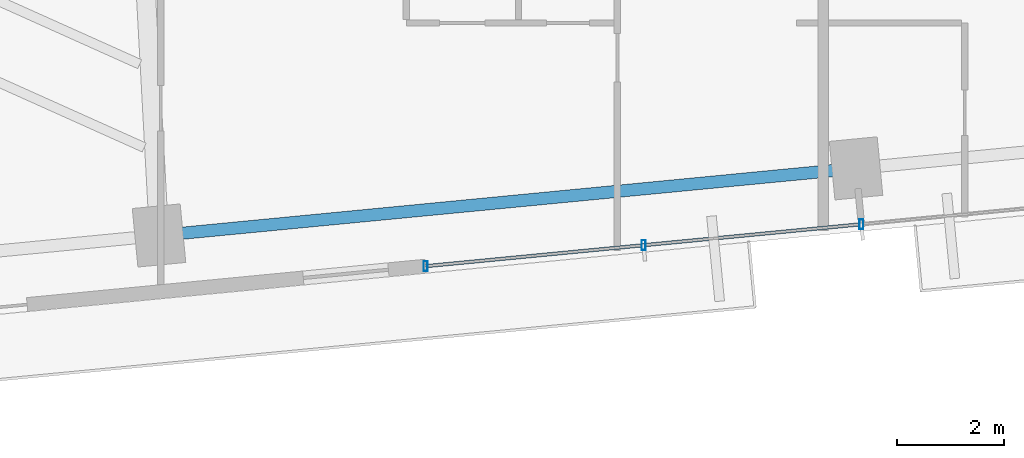
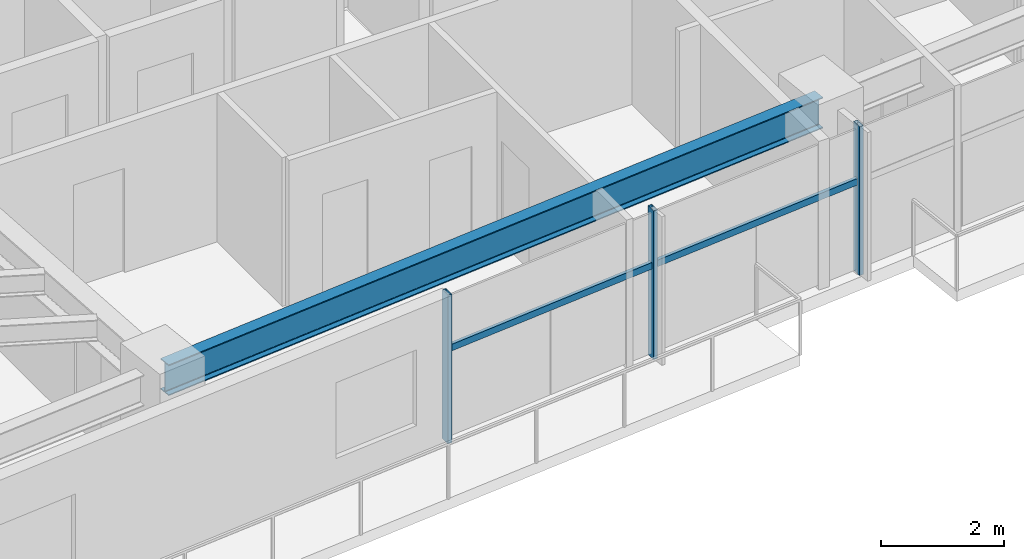
# One storey, part 6 of 27: 5 members, 1 beam, 1 element without a shape of its own.
"""IFC4 building model written with IfcOpenShell, lengths in metres."""

from ifc_helpers import new_model, si_unit, direction, frame, origin, origin_2d, place, context, subcontext, project, spatial, hollow_rectangle, i_section, extrude, source, transform, mapped, material, material_profile, profile_set, type_object, type_shapes, element, aggregate, save


model = new_model("IFC4")

# Units and contexts
model_context = context("Model", 3, precision=1e-05, world=origin(), true_north=direction((0.0, 1.0)))
body_context = subcontext(model_context, "Body", "Model", "MODEL_VIEW")
ifc_project = project(units=[si_unit("LENGTHUNIT", "METRE"), si_unit("AREAUNIT", "SQUARE_METRE"), si_unit("VOLUMEUNIT", "CUBIC_METRE"), si_unit("PLANEANGLEUNIT", "RADIAN"), si_unit("MASSUNIT", "GRAM", prefix="KILO")], contexts=[model_context])

# Site, building, storey
site_placement = place(None, origin())
site = spatial("IfcSite", under=ifc_project, at=site_placement, CompositionType="ELEMENT")
building_placement = place(site_placement, origin())
building = spatial("IfcBuilding", under=site, at=building_placement, Name="Astriad Promenade Condominiums", CompositionType="ELEMENT")
storey_placement = place(building_placement, frame((0.0, 0.0, 90.60009765625)))
storey = spatial("IfcBuildingStorey", under=building, at=storey_placement, Name="L25", CompositionType="ELEMENT", Elevation=90.60009765625)

# Beam
ifc_material_1 = material(Name="Steel ASTM A992 Grade 50", Category="steel")
ifc_material_profile_1 = material_profile(ifc_material_1, i_section(OverallWidth=0.22900390625, OverallDepth=0.612060546875, WebThickness=0.011962890625, FlangeThickness=0.01953125, FilletRadius=0.017822265625, at=origin_2d()), Name="W24X84")
ifc_profile_set_1 = profile_set([ifc_material_profile_1], Name="Steel ASTM A992 Grade 50")
beam_type = type_object("IfcBeamType", Name="STEEL SPANDREL BEAM W24X84", PredefinedType="SPANDREL", material=ifc_profile_set_1)
shared_shape_1 = source(origin(), body_context, "Body", "SweptSolid", [
    extrude(i_section(OverallWidth=0.22900390625, OverallDepth=0.612060546875, WebThickness=0.011962890625, FlangeThickness=0.01953125, FilletRadius=0.017822265625, at=origin_2d()), origin(), (0.0, 0.0, 1.0), 13.020263671875),
])
type_shapes(beam_type, [shared_shape_1])
beam_placement = place(storey_placement, frame((27.04541015625, 6.268798828125, 2.6337890625), z_axis=(0.995395311238, 0.095854965264, 0.0), x_axis=(-0.095854965264, 0.995395311238, 0.0)))
element("IfcBeam", 1, at=beam_placement, inside=storey, type_object=beam_type, Name="Perimeter Spandrel Beam SP-S2-L25", PredefinedType="SPANDREL", context=body_context, shape_type="MappedRepresentation", body=[
    mapped(shared_shape_1, transform((0.0, 0.0, 0.0), scale=1.0)),
])

# Curtain wall, members
ifc_material_2 = material(Name="Anodised aluminium Black Dark Glass Unitised", Category="aluminium")
curtain_wall_type = type_object("IfcCurtainWallType", Name="CW-B2-DARK", PredefinedType="USERDEFINED", material=ifc_material_2)
curtain_wall_placement = place(storey_placement, origin())
curtain_wall = element("IfcCurtainWall", 2, at=curtain_wall_placement, inside=storey, type_object=curtain_wall_type, Name="CW-L25-S", ObjectType="UNITISED_CURTAIN_WALL", PredefinedType="USERDEFINED")
ifc_material_3 = material(Name="Anodised aluminium 6063-T6 Black", Category="aluminium")
ifc_material_profile_2 = material_profile(ifc_material_3, hollow_rectangle(XDim=0.074951171875, YDim=0.18505859375, WallThickness=0.00439453125, at=origin_2d()), Name="ALU-MUL-75X185")
ifc_profile_set_2 = profile_set([ifc_material_profile_2], Name="Anodised aluminium 6063-T6 Black")
member_type_1 = type_object("IfcMemberType", Name="MUL-ALU-MUL-75X185", PredefinedType="MULLION", material=ifc_profile_set_2)
shared_shape_2 = source(origin(), body_context, "Body", "SweptSolid", [
    extrude(hollow_rectangle(XDim=0.074951171875, YDim=0.18505859375, WallThickness=0.00439453125, at=origin_2d()), origin(), (0.0, 0.0, 1.0), 2.93994140625),
])
type_shapes(member_type_1, [shared_shape_2])
member_1_placement = place(storey_placement, frame((40.14599609375, 6.475341796875, 0.0), z_axis=(0.0, 0.0, 1.0), x_axis=(1.0, 0.0, 0.0)))
member_1 = element("IfcMember", 3, at=member_1_placement, type_object=member_type_1, Name="CW-L25-S-MUL-02", PredefinedType="MULLION", context=body_context, shape_type="MappedRepresentation", body=[
    mapped(shared_shape_2, transform((0.0, 0.0, 0.0), scale=1.0)),
])
member_2_placement = place(storey_placement, frame((36.06982421875, 6.0830078125, 0.0), z_axis=(0.0, 0.0, 1.0), x_axis=(1.0, 0.0, 0.0)))
member_2 = element("IfcMember", 4, at=member_2_placement, type_object=member_type_1, Name="CW-L25-S-MUL-03", PredefinedType="MULLION", context=body_context, shape_type="MappedRepresentation", body=[
    mapped(shared_shape_2, transform((0.0, 0.0, 0.0), scale=1.0)),
])
member_3_placement = place(storey_placement, frame((31.99365234375, 5.6904296875, 0.0), z_axis=(0.0, 0.0, 1.0), x_axis=(1.0, 0.0, 0.0)))
member_3 = element("IfcMember", 5, at=member_3_placement, type_object=member_type_1, Name="CW-L25-S-MUL-04", PredefinedType="MULLION", context=body_context, shape_type="MappedRepresentation", body=[
    mapped(shared_shape_2, transform((0.0, 0.0, 0.0), scale=1.0)),
])
ifc_material_profile_3 = material_profile(ifc_material_3, hollow_rectangle(XDim=0.06494140625, YDim=0.1298828125, WallThickness=0.00390625, at=origin_2d()), Name="ALU-TRN-65X130")
ifc_profile_set_3 = profile_set([ifc_material_profile_3], Name="Anodised aluminium 6063-T6 Black")
member_type_2 = type_object("IfcMemberType", Name="TRN-ALU-TRN-65X130", PredefinedType="USERDEFINED", material=ifc_profile_set_3)
shared_shape_3 = source(origin(), body_context, "Body", "SweptSolid", [
    extrude(hollow_rectangle(XDim=0.06494140625, YDim=0.1298828125, WallThickness=0.00390625, at=origin_2d()), origin(), (0.0, 0.0, 1.0), 4.094970703125),
])
type_shapes(member_type_2, [shared_shape_3])
member_4_placement = place(storey_placement, frame((40.14599609375, 6.475341796875, 1.82275390625), z_axis=(-0.995399849002, -0.095807831657, 0.0), x_axis=(0.095807831657, -0.995399849002, 0.0)))
member_4 = element("IfcMember", 6, at=member_4_placement, type_object=member_type_2, Name="CW-L25-S-TRN-02-0", ObjectType="TRANSOM", PredefinedType="USERDEFINED", context=body_context, shape_type="MappedRepresentation", body=[
    mapped(shared_shape_3, transform((0.0, 0.0, 0.0), scale=1.0)),
])
member_5_placement = place(storey_placement, frame((36.06982421875, 6.0830078125, 1.82275390625), z_axis=(-0.995394161585, -0.09586690296, 0.0), x_axis=(0.09586690296, -0.995394161585, 0.0)))
member_5 = element("IfcMember", 7, at=member_5_placement, type_object=member_type_2, Name="CW-L25-S-TRN-03-0", ObjectType="TRANSOM", PredefinedType="USERDEFINED", context=body_context, shape_type="MappedRepresentation", body=[
    mapped(shared_shape_3, transform((0.0, 0.0, 0.0), scale=1.0)),
])
aggregate(curtain_wall, [member_1, member_2, member_3, member_4, member_5])

save(model, "model.ifc")
